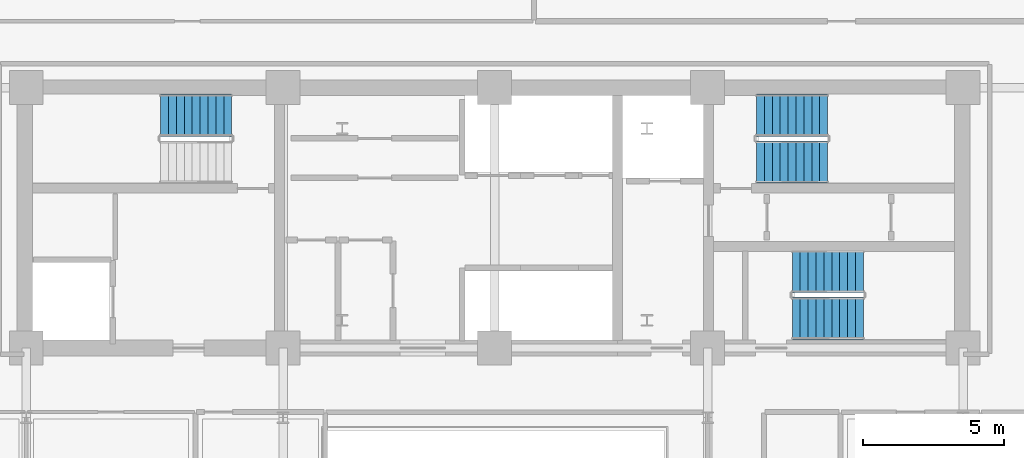
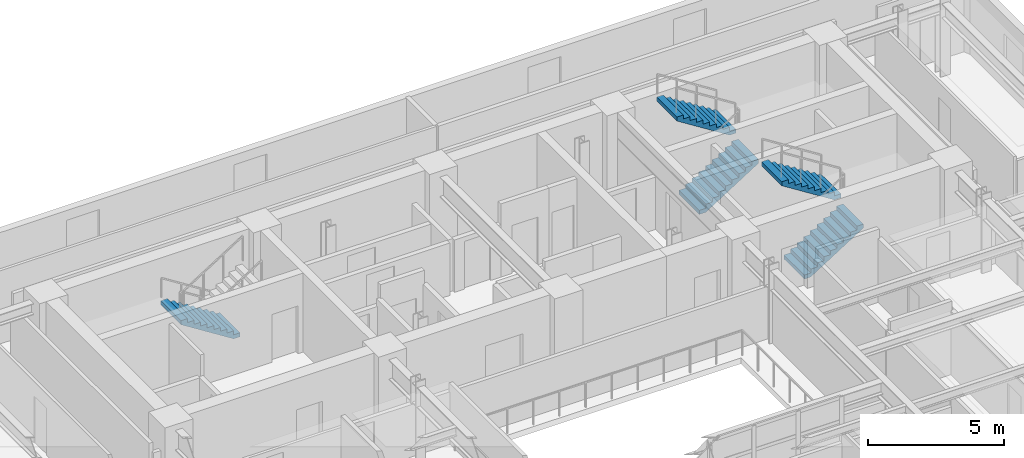
# One storey, part 10 of 13: 5 stair flights, 3 elements without a shape of their own.
"""IFC4 building model written with IfcOpenShell, lengths in metres."""

from ifc_helpers import new_model, si_unit, direction, frame, origin, place, context, subcontext, project, spatial, polyline, outline, extrude, material, layer, layer_set, type_object, element, aggregate, save


model = new_model("IFC4")

# Units and contexts
model_context = context("Model", 3, precision=1e-05, world=origin(), true_north=direction((0.0, 1.0)))
body_context = subcontext(model_context, "Body", "Model", "MODEL_VIEW")
ifc_project = project(units=[si_unit("LENGTHUNIT", "METRE"), si_unit("AREAUNIT", "SQUARE_METRE"), si_unit("VOLUMEUNIT", "CUBIC_METRE"), si_unit("PLANEANGLEUNIT", "RADIAN"), si_unit("MASSUNIT", "GRAM", prefix="KILO")], contexts=[model_context])

# Site, building, storey
site_placement = place(None, origin())
site = spatial("IfcSite", under=ifc_project, at=site_placement, CompositionType="ELEMENT")
building_placement = place(site_placement, origin())
building = spatial("IfcBuilding", under=site, at=building_placement, Name="Zarnavel Station Tower", CompositionType="ELEMENT")
storey_placement = place(building_placement, frame((0.0, 0.0, 162.550048828125)))
storey = spatial("IfcBuildingStorey", under=building, at=storey_placement, Name="L44", CompositionType="ELEMENT", Elevation=162.550048828125)

# Stair, stair flight
ifc_material_1 = material(Name="Concrete C45/55", Category="concrete")
stair_type = type_object("IfcStairType", Name="ST_CORE_150", PredefinedType="HALF_TURN_STAIR", material=ifc_material_1)
stair_1_placement = place(storey_placement, origin())
stair_1 = element("IfcStair", 1, at=stair_1_placement, inside=storey, type_object=stair_type, Name="L44 Core Exit Stair ST1", PredefinedType="HALF_TURN_STAIR")
ifc_material_2 = material(Name="Concrete C45/55", Category="concrete")
ifc_layer = layer(ifc_material_2, 0.179931640625)
ifc_layer_set = layer_set([ifc_layer], Name="ST_CORE_150_FLT")
stair_flight_type = type_object("IfcStairFlightType", Name="ST_CORE_150_FLT", PredefinedType="STRAIGHT", material=ifc_layer_set)
stair_flight_1_placement = place(storey_placement, frame((19.47998046875, 36.070068359375, 0.0), z_axis=(0.0, 0.0, 1.0), x_axis=(-1.0, 0.0, 0.0)))
stair_flight_1 = element("IfcStairFlight", 2, at=stair_flight_1_placement, type_object=stair_flight_type, Name="ST1 flight 1", NumberOfRisers=10, NumberOfTreads=9, PredefinedType="STRAIGHT", RiserHeight=0.1775, TreadLength=0.28, context=body_context, shape_type="SweptSolid", body=[
    extrude(outline(polyline([(0.0, 0.0), (0.0, 0.177490234375), (0.280029296875, 0.177490234375), (0.280029296875, 0.35498046875), (0.56005859375, 0.35498046875), (0.56005859375, 0.532470703125), (0.840087890625, 0.532470703125), (0.840087890625, 0.7099609375), (1.1201171875, 0.7099609375), (1.1201171875, 0.887451171875), (1.39990234375, 0.887451171875), (1.39990234375, 1.06494140625), (1.679931640625, 1.06494140625), (1.679931640625, 1.242431640625), (1.9599609375, 1.242431640625), (1.9599609375, 1.419921875), (2.239990234375, 1.419921875), (2.239990234375, 1.597412109375), (2.52001953125, 1.597412109375), (2.52001953125, 1.77490234375), (2.52001953125, 1.419921875), (0.280029296875, 0.0), (0.0, 0.0)])), frame((0.0, 0.75, 0.0), z_axis=(0.0, -1.0, 0.0), x_axis=(1.0, 0.0, 0.0)), (0.0, 0.0, 1.0), 1.5),
])
aggregate(stair_1, [stair_flight_1])

# Stair, stair flights
stair_2_placement = place(storey_placement, origin())
stair_2 = element("IfcStair", 3, at=stair_2_placement, inside=storey, type_object=stair_type, Name="L44 Core Exit Stair ST2", PredefinedType="HALF_TURN_STAIR")
stair_flight_2_placement = place(storey_placement, frame((38.080078125, 34.409912109375, 0.0), z_axis=(0.0, 0.0, 1.0), x_axis=(1.0, 0.0, 0.0)))
stair_flight_2 = element("IfcStairFlight", 4, at=stair_flight_2_placement, type_object=stair_flight_type, Name="ST2 flight 1", NumberOfRisers=10, NumberOfTreads=9, PredefinedType="STRAIGHT", RiserHeight=0.1775, TreadLength=0.28, context=body_context, shape_type="SweptSolid", body=[
    extrude(outline(polyline([(0.0, 0.0), (0.0, 0.177490234375), (0.280029296875, 0.177490234375), (0.280029296875, 0.35498046875), (0.56005859375, 0.35498046875), (0.56005859375, 0.532470703125), (0.840087890625, 0.532470703125), (0.840087890625, 0.7099609375), (1.1201171875, 0.7099609375), (1.1201171875, 0.887451171875), (1.39990234375, 0.887451171875), (1.39990234375, 1.06494140625), (1.679931640625, 1.06494140625), (1.679931640625, 1.242431640625), (1.9599609375, 1.242431640625), (1.9599609375, 1.419921875), (2.239990234375, 1.419921875), (2.239990234375, 1.597412109375), (2.52001953125, 1.597412109375), (2.52001953125, 1.77490234375), (2.52001953125, 1.419921875), (0.280029296875, 0.0), (0.0, 0.0)])), frame((0.0, 0.75, 0.0), z_axis=(0.0, -1.0, 0.0), x_axis=(1.0, 0.0, 0.0)), (0.0, 0.0, 1.0), 1.5),
])
stair_flight_3_placement = place(storey_placement, frame((40.60009765625, 36.070068359375, 1.77490234375), z_axis=(0.0, 0.0, 1.0), x_axis=(-1.0, 0.0, 0.0)))
stair_flight_3 = element("IfcStairFlight", 5, at=stair_flight_3_placement, type_object=stair_flight_type, Name="ST2 flight 2", NumberOfRisers=10, NumberOfTreads=9, PredefinedType="STRAIGHT", RiserHeight=0.1775, TreadLength=0.28, context=body_context, shape_type="SweptSolid", body=[
    extrude(outline(polyline([(0.0, 0.0), (0.0, 0.177490234375), (0.280029296875, 0.177490234375), (0.280029296875, 0.35498046875), (0.56005859375, 0.35498046875), (0.56005859375, 0.532470703125), (0.840087890625, 0.532470703125), (0.840087890625, 0.7099609375), (1.1201171875, 0.7099609375), (1.1201171875, 0.887451171875), (1.39990234375, 0.887451171875), (1.39990234375, 1.06494140625), (1.679931640625, 1.06494140625), (1.679931640625, 1.242431640625), (1.9599609375, 1.242431640625), (1.9599609375, 1.419921875), (2.239990234375, 1.419921875), (2.239990234375, 1.597412109375), (2.52001953125, 1.597412109375), (2.52001953125, 1.77490234375), (2.52001953125, 1.419921875), (0.280029296875, 0.0), (0.0, 0.0)])), frame((0.0, 0.75, 0.0), z_axis=(0.0, -1.0, 0.0), x_axis=(1.0, 0.0, 0.0)), (0.0, 0.0, 1.0), 1.5),
])
aggregate(stair_2, [stair_flight_2, stair_flight_3])

stair_3_placement = place(storey_placement, origin())
stair_3 = element("IfcStair", 6, at=stair_3_placement, inside=storey, type_object=stair_type, Name="L44 Core Exit Stair ST3", PredefinedType="HALF_TURN_STAIR")
stair_flight_4_placement = place(storey_placement, frame((39.35009765625, 28.8701171875, 0.0), z_axis=(0.0, 0.0, 1.0), x_axis=(1.0, 0.0, 0.0)))
stair_flight_4 = element("IfcStairFlight", 7, at=stair_flight_4_placement, type_object=stair_flight_type, Name="ST3 flight 1", NumberOfRisers=10, NumberOfTreads=9, PredefinedType="STRAIGHT", RiserHeight=0.1775, TreadLength=0.28, context=body_context, shape_type="SweptSolid", body=[
    extrude(outline(polyline([(0.0, 0.0), (0.0, 0.177490234375), (0.280029296875, 0.177490234375), (0.280029296875, 0.35498046875), (0.56005859375, 0.35498046875), (0.56005859375, 0.532470703125), (0.840087890625, 0.532470703125), (0.840087890625, 0.7099609375), (1.1201171875, 0.7099609375), (1.1201171875, 0.887451171875), (1.39990234375, 0.887451171875), (1.39990234375, 1.06494140625), (1.679931640625, 1.06494140625), (1.679931640625, 1.242431640625), (1.9599609375, 1.242431640625), (1.9599609375, 1.419921875), (2.239990234375, 1.419921875), (2.239990234375, 1.597412109375), (2.52001953125, 1.597412109375), (2.52001953125, 1.77490234375), (2.52001953125, 1.419921875), (0.280029296875, 0.0), (0.0, 0.0)])), frame((0.0, 0.75, 0.0), z_axis=(0.0, -1.0, 0.0), x_axis=(1.0, 0.0, 0.0)), (0.0, 0.0, 1.0), 1.5),
])
stair_flight_5_placement = place(storey_placement, frame((41.8701171875, 30.530029296875, 1.77490234375), z_axis=(0.0, 0.0, 1.0), x_axis=(-1.0, 0.0, 0.0)))
stair_flight_5 = element("IfcStairFlight", 8, at=stair_flight_5_placement, type_object=stair_flight_type, Name="ST3 flight 2", NumberOfRisers=10, NumberOfTreads=9, PredefinedType="STRAIGHT", RiserHeight=0.1775, TreadLength=0.28, context=body_context, shape_type="SweptSolid", body=[
    extrude(outline(polyline([(0.0, 0.0), (0.0, 0.177490234375), (0.280029296875, 0.177490234375), (0.280029296875, 0.35498046875), (0.56005859375, 0.35498046875), (0.56005859375, 0.532470703125), (0.840087890625, 0.532470703125), (0.840087890625, 0.7099609375), (1.1201171875, 0.7099609375), (1.1201171875, 0.887451171875), (1.39990234375, 0.887451171875), (1.39990234375, 1.06494140625), (1.679931640625, 1.06494140625), (1.679931640625, 1.242431640625), (1.9599609375, 1.242431640625), (1.9599609375, 1.419921875), (2.239990234375, 1.419921875), (2.239990234375, 1.597412109375), (2.52001953125, 1.597412109375), (2.52001953125, 1.77490234375), (2.52001953125, 1.419921875), (0.280029296875, 0.0), (0.0, 0.0)])), frame((0.0, 0.75, 0.0), z_axis=(0.0, -1.0, 0.0), x_axis=(1.0, 0.0, 0.0)), (0.0, 0.0, 1.0), 1.5),
])
aggregate(stair_3, [stair_flight_4, stair_flight_5])

save(model, "model.ifc")
